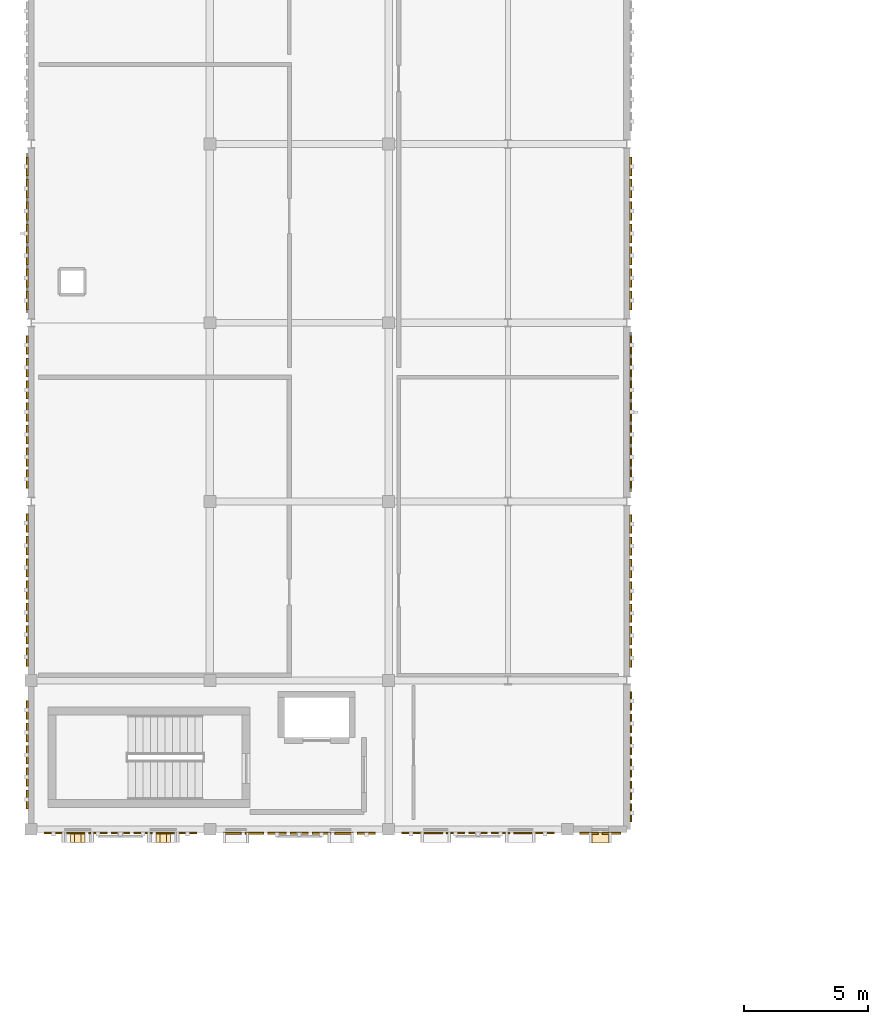
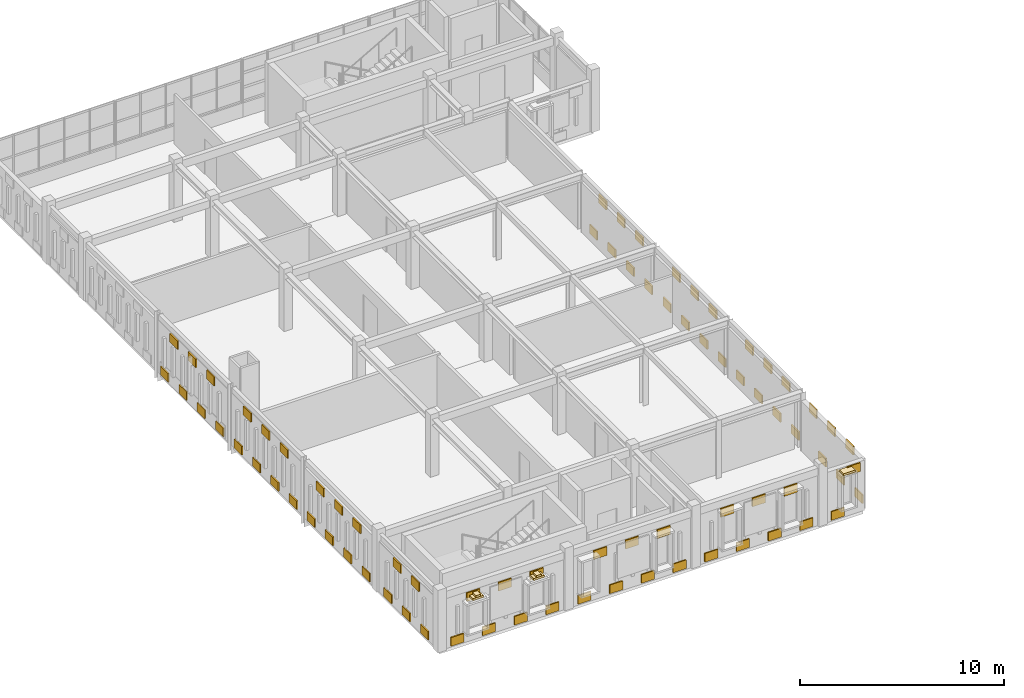
# One storey, part 49 of 53: 81 coverings.
"""IFC4 building model written with IfcOpenShell, lengths in metres."""

from ifc_helpers import new_model, si_unit, direction, frame, origin, origin_2d, place, context, subcontext, project, spatial, rectangle, extrude, material, layer, layer_set, type_object, element, save


model = new_model("IFC4")

# Units and contexts
model_context = context("Model", 3, precision=1e-05, world=origin(), true_north=direction((0.0, 1.0)))
body_context = subcontext(model_context, "Body", "Model", "MODEL_VIEW")
ifc_project = project(units=[si_unit("LENGTHUNIT", "METRE"), si_unit("AREAUNIT", "SQUARE_METRE"), si_unit("VOLUMEUNIT", "CUBIC_METRE"), si_unit("PLANEANGLEUNIT", "RADIAN"), si_unit("MASSUNIT", "GRAM", prefix="KILO")], contexts=[model_context])

# Site, building, storey
site_placement = place(None, origin())
site = spatial("IfcSite", under=ifc_project, at=site_placement, CompositionType="ELEMENT")
building_placement = place(site_placement, origin())
building = spatial("IfcBuilding", under=site, at=building_placement, Name="Nzembalo Square Collegiate School", CompositionType="ELEMENT")
storey_placement = place(building_placement, frame((0.0, 0.0, 13.60009765625)))
storey = spatial("IfcBuildingStorey", under=building, at=storey_placement, Name="L03", CompositionType="ELEMENT", Elevation=13.60009765625)

# Coverings
ifc_material_1 = material(Name="Glazed cobalt ceramic patterned tile")
ifc_layer_1 = layer(ifc_material_1, 0.074951171875, Name="Glazed cobalt ceramic patterned tile")
ifc_layer_set_1 = layer_set([ifc_layer_1], Name="Glazed cobalt ceramic patterned tile")
covering_type_1 = type_object("IfcCoveringType", Name="CL01", PredefinedType="CLADDING", material=ifc_layer_set_1)
for number, where, z_axis, x_axis, name in (
    (1, (9.300048828125, 44.25, 0.099853515625), (0.0, 0.0, 1.0), (1.0, 0.0, 0.0), "Patterned ceramic tile CL01-X0221-0-0"),
    (2, (10.199951171875, 44.25, 2.458984375), (0.0, 0.0, 1.0), (1.0, 0.0, 0.0), "Patterned ceramic tile CL01-X0221-1-1"),
    (3, (11.10009765625, 44.25, 0.099853515625), (0.0, 0.0, 1.0), (1.0, 0.0, 0.0), "Patterned ceramic tile CL01-X0221-2-0"),
    (4, (12.0, 44.25, 2.458984375), (0.0, 0.0, 1.0), (1.0, 0.0, 0.0), "Patterned ceramic tile CL01-X0221-3-1"),
    (5, (12.89990234375, 44.25, 0.099853515625), (0.0, 0.0, 1.0), (1.0, 0.0, 0.0), "Patterned ceramic tile CL01-X0221-4-0"),
    (6, (13.800048828125, 44.25, 2.458984375), (0.0, 0.0, 1.0), (1.0, 0.0, 0.0), "Patterned ceramic tile CL01-X0221-5-1"),
    (7, (14.699951171875, 44.25, 0.099853515625), (0.0, 0.0, 1.0), (1.0, 0.0, 0.0), "Patterned ceramic tile CL01-X0221-6-0"),
    (8, (16.5, 44.239990234375, 0.099853515625), (0.0, 0.0, 1.0), (1.0, 0.0, 0.0), "Patterned ceramic tile CL01-X0222-0-0"),
    (9, (17.39990234375, 44.239990234375, 2.468994140625), (0.0, 0.0, 1.0), (1.0, 0.0, 0.0), "Patterned ceramic tile CL01-X0222-1-1"),
    (10, (18.300048828125, 44.239990234375, 0.099853515625), (0.0, 0.0, 1.0), (1.0, 0.0, 0.0), "Patterned ceramic tile CL01-X0222-2-0"),
    (11, (19.199951171875, 44.239990234375, 2.468994140625), (0.0, 0.0, 1.0), (1.0, 0.0, 0.0), "Patterned ceramic tile CL01-X0222-3-1"),
    (12, (20.10009765625, 44.239990234375, 0.099853515625), (0.0, 0.0, 1.0), (1.0, 0.0, 0.0), "Patterned ceramic tile CL01-X0222-4-0"),
    (13, (21.0, 44.239990234375, 2.468994140625), (0.0, 0.0, 1.0), (1.0, 0.0, 0.0), "Patterned ceramic tile CL01-X0222-5-1"),
    (14, (21.89990234375, 44.239990234375, 0.099853515625), (0.0, 0.0, 1.0), (1.0, 0.0, 0.0), "Patterned ceramic tile CL01-X0222-6-0"),
    (15, (23.699951171875, 44.25, 0.099853515625), (0.0, 0.0, 1.0), (1.0, 0.0, 0.0), "Patterned ceramic tile CL01-X0223-0-0"),
    (16, (24.60009765625, 44.25, 2.468994140625), (0.0, 0.0, 1.0), (1.0, 0.0, 0.0), "Patterned ceramic tile CL01-X0223-1-1"),
    (17, (25.5, 44.25, 0.099853515625), (0.0, 0.0, 1.0), (1.0, 0.0, 0.0), "Patterned ceramic tile CL01-X0223-2-0"),
    (18, (26.39990234375, 44.25, 2.468994140625), (0.0, 0.0, 1.0), (1.0, 0.0, 0.0), "Patterned ceramic tile CL01-X0223-3-1"),
    (19, (27.300048828125, 44.25, 0.099853515625), (0.0, 0.0, 1.0), (1.0, 0.0, 0.0), "Patterned ceramic tile CL01-X0223-4-0"),
    (20, (28.199951171875, 44.25, 2.468994140625), (0.0, 0.0, 1.0), (1.0, 0.0, 0.0), "Patterned ceramic tile CL01-X0223-5-1"),
    (21, (29.10009765625, 44.25, 0.099853515625), (0.0, 0.0, 1.0), (1.0, 0.0, 0.0), "Patterned ceramic tile CL01-X0223-6-0"),
    (22, (30.87109375, 44.239990234375, 0.099853515625), (0.0, 0.0, 1.0), (1.0, 0.0, 0.0), "Patterned ceramic tile CL01-X0224-0-0"),
    (23, (31.77099609375, 44.239990234375, 2.468994140625), (0.0, 0.0, 1.0), (1.0, 0.0, 0.0), "Patterned ceramic tile CL01-X0224-1-1"),
):
    element("IfcCovering", number, at=place(storey_placement, frame(where, z_axis=z_axis, x_axis=x_axis)), inside=storey, type_object=covering_type_1, Name=name, PredefinedType="CLADDING", context=body_context, shape_type="SweptSolid", body=[
        extrude(rectangle(XDim=0.739990234375, YDim=0.074951171875, at=origin_2d()), origin(), (0.0, 0.0, 1.0), 0.52001953125),
    ])
for number, where, z_axis, x_axis, name in (
    (24, (8.25, 45.60009765625, 0.099853515625), (0.0, 0.0, 1.0), (1.0, 0.0, 0.0), "Patterned ceramic tile CL01-Y0225-0-0"),
    (25, (8.25, 46.5, 2.458984375), (0.0, 0.0, 1.0), (1.0, 0.0, 0.0), "Patterned ceramic tile CL01-Y0225-1-1"),
    (26, (8.25, 47.39990234375, 0.099853515625), (0.0, 0.0, 1.0), (1.0, 0.0, 0.0), "Patterned ceramic tile CL01-Y0225-2-0"),
    (27, (8.25, 48.300048828125, 2.458984375), (0.0, 0.0, 1.0), (1.0, 0.0, 0.0), "Patterned ceramic tile CL01-Y0225-3-1"),
    (28, (8.25, 49.199951171875, 0.099853515625), (0.0, 0.0, 1.0), (1.0, 0.0, 0.0), "Patterned ceramic tile CL01-Y0225-4-0"),
    (29, (8.239990234375, 51.3349609375, 0.099853515625), (0.0, 0.0, 1.0), (1.0, 0.0, 0.0), "Patterned ceramic tile CL01-Y0226-0-0"),
    (30, (8.239990234375, 52.235107421875, 2.458984375), (0.0, 0.0, 1.0), (1.0, 0.0, 0.0), "Patterned ceramic tile CL01-Y0226-1-1"),
    (31, (8.239990234375, 53.135009765625, 0.099853515625), (0.0, 0.0, 1.0), (1.0, 0.0, 0.0), "Patterned ceramic tile CL01-Y0226-2-0"),
    (32, (8.239990234375, 54.034912109375, 2.458984375), (0.0, 0.0, 1.0), (1.0, 0.0, 0.0), "Patterned ceramic tile CL01-Y0226-3-1"),
    (33, (8.239990234375, 54.93505859375, 0.099853515625), (0.0, 0.0, 1.0), (1.0, 0.0, 0.0), "Patterned ceramic tile CL01-Y0226-4-0"),
    (34, (8.239990234375, 55.8349609375, 2.458984375), (0.0, 0.0, 1.0), (1.0, 0.0, 0.0), "Patterned ceramic tile CL01-Y0226-5-1"),
    (35, (8.239990234375, 56.735107421875, 0.099853515625), (0.0, 0.0, 1.0), (1.0, 0.0, 0.0), "Patterned ceramic tile CL01-Y0226-6-0"),
    (36, (8.25, 58.5, 0.099853515625), (0.0, 0.0, 1.0), (1.0, 0.0, 0.0), "Patterned ceramic tile CL01-Y0227-0-0"),
    (37, (8.25, 59.39990234375, 2.60888671875), (0.0, 0.0, 1.0), (1.0, 0.0, 0.0), "Patterned ceramic tile CL01-Y0227-1-1"),
    (38, (8.25, 60.300048828125, 0.099853515625), (0.0, 0.0, 1.0), (1.0, 0.0, 0.0), "Patterned ceramic tile CL01-Y0227-2-0"),
    (39, (8.25, 61.199951171875, 2.60888671875), (0.0, 0.0, 1.0), (1.0, 0.0, 0.0), "Patterned ceramic tile CL01-Y0227-3-1"),
    (40, (8.25, 62.10009765625, 0.099853515625), (0.0, 0.0, 1.0), (1.0, 0.0, 0.0), "Patterned ceramic tile CL01-Y0227-4-0"),
    (41, (8.25, 63.0, 2.60888671875), (0.0, 0.0, 1.0), (1.0, 0.0, 0.0), "Patterned ceramic tile CL01-Y0227-5-1"),
    (42, (8.25, 63.89990234375, 0.099853515625), (0.0, 0.0, 1.0), (1.0, 0.0, 0.0), "Patterned ceramic tile CL01-Y0227-6-0"),
    (43, (8.239990234375, 65.699951171875, 0.099853515625), (0.0, 0.0, 1.0), (1.0, 0.0, 0.0), "Patterned ceramic tile CL01-Y0228-0-0"),
    (44, (8.239990234375, 66.60009765625, 2.60888671875), (0.0, 0.0, 1.0), (1.0, 0.0, 0.0), "Patterned ceramic tile CL01-Y0228-1-1"),
    (45, (8.239990234375, 67.5, 0.099853515625), (0.0, 0.0, 1.0), (1.0, 0.0, 0.0), "Patterned ceramic tile CL01-Y0228-2-0"),
    (46, (8.239990234375, 68.39990234375, 2.60888671875), (0.0, 0.0, 1.0), (1.0, 0.0, 0.0), "Patterned ceramic tile CL01-Y0228-3-1"),
    (47, (8.239990234375, 69.300048828125, 0.099853515625), (0.0, 0.0, 1.0), (1.0, 0.0, 0.0), "Patterned ceramic tile CL01-Y0228-4-0"),
    (48, (8.239990234375, 70.199951171875, 2.60888671875), (0.0, 0.0, 1.0), (1.0, 0.0, 0.0), "Patterned ceramic tile CL01-Y0228-5-1"),
    (49, (8.239990234375, 71.10009765625, 0.099853515625), (0.0, 0.0, 1.0), (1.0, 0.0, 0.0), "Patterned ceramic tile CL01-Y0228-6-0"),
    (50, (32.56005859375, 45.06396484375, 0.099853515625), (0.0, 0.0, 1.0), (1.0, 0.0, 0.0), "Patterned ceramic tile CL01-Y0234-0-0"),
    (51, (32.56005859375, 45.964111328125, 2.458984375), (0.0, 0.0, 1.0), (1.0, 0.0, 0.0), "Patterned ceramic tile CL01-Y0234-1-1"),
    (52, (32.56005859375, 46.864013671875, 0.099853515625), (0.0, 0.0, 1.0), (1.0, 0.0, 0.0), "Patterned ceramic tile CL01-Y0234-2-0"),
    (53, (32.56005859375, 47.763916015625, 2.458984375), (0.0, 0.0, 1.0), (1.0, 0.0, 0.0), "Patterned ceramic tile CL01-Y0234-3-1"),
    (54, (32.56005859375, 48.6640625, 0.099853515625), (0.0, 0.0, 1.0), (1.0, 0.0, 0.0), "Patterned ceramic tile CL01-Y0234-4-0"),
    (55, (32.56005859375, 49.56396484375, 2.458984375), (0.0, 0.0, 1.0), (1.0, 0.0, 0.0), "Patterned ceramic tile CL01-Y0234-5-1"),
    (56, (32.550048828125, 51.300048828125, 0.099853515625), (0.0, 0.0, 1.0), (1.0, 0.0, 0.0), "Patterned ceramic tile CL01-Y0235-0-0"),
    (57, (32.550048828125, 52.199951171875, 2.458984375), (0.0, 0.0, 1.0), (1.0, 0.0, 0.0), "Patterned ceramic tile CL01-Y0235-1-1"),
    (58, (32.550048828125, 53.10009765625, 0.099853515625), (0.0, 0.0, 1.0), (1.0, 0.0, 0.0), "Patterned ceramic tile CL01-Y0235-2-0"),
    (59, (32.550048828125, 54.0, 2.458984375), (0.0, 0.0, 1.0), (1.0, 0.0, 0.0), "Patterned ceramic tile CL01-Y0235-3-1"),
    (60, (32.550048828125, 54.89990234375, 0.099853515625), (0.0, 0.0, 1.0), (1.0, 0.0, 0.0), "Patterned ceramic tile CL01-Y0235-4-0"),
    (61, (32.550048828125, 55.800048828125, 2.458984375), (0.0, 0.0, 1.0), (1.0, 0.0, 0.0), "Patterned ceramic tile CL01-Y0235-5-1"),
    (62, (32.550048828125, 56.699951171875, 0.099853515625), (0.0, 0.0, 1.0), (1.0, 0.0, 0.0), "Patterned ceramic tile CL01-Y0235-6-0"),
    (63, (32.56005859375, 58.5, 0.099853515625), (0.0, 0.0, 1.0), (1.0, 0.0, 0.0), "Patterned ceramic tile CL01-Y0236-0-0"),
    (64, (32.56005859375, 59.39990234375, 2.458984375), (0.0, 0.0, 1.0), (1.0, 0.0, 0.0), "Patterned ceramic tile CL01-Y0236-1-1"),
    (65, (32.56005859375, 60.300048828125, 0.099853515625), (0.0, 0.0, 1.0), (1.0, 0.0, 0.0), "Patterned ceramic tile CL01-Y0236-2-0"),
    (66, (32.56005859375, 61.199951171875, 2.458984375), (0.0, 0.0, 1.0), (1.0, 0.0, 0.0), "Patterned ceramic tile CL01-Y0236-3-1"),
    (67, (32.56005859375, 62.10009765625, 0.099853515625), (0.0, 0.0, 1.0), (1.0, 0.0, 0.0), "Patterned ceramic tile CL01-Y0236-4-0"),
    (68, (32.56005859375, 63.0, 2.458984375), (0.0, 0.0, 1.0), (1.0, 0.0, 0.0), "Patterned ceramic tile CL01-Y0236-5-1"),
    (69, (32.56005859375, 63.89990234375, 0.099853515625), (0.0, 0.0, 1.0), (1.0, 0.0, 0.0), "Patterned ceramic tile CL01-Y0236-6-0"),
    (70, (32.550048828125, 65.699951171875, 0.099853515625), (0.0, 0.0, 1.0), (1.0, 0.0, 0.0), "Patterned ceramic tile CL01-Y0237-0-0"),
    (71, (32.550048828125, 66.60009765625, 2.458984375), (0.0, 0.0, 1.0), (1.0, 0.0, 0.0), "Patterned ceramic tile CL01-Y0237-1-1"),
    (72, (32.550048828125, 67.5, 0.099853515625), (0.0, 0.0, 1.0), (1.0, 0.0, 0.0), "Patterned ceramic tile CL01-Y0237-2-0"),
    (73, (32.550048828125, 68.39990234375, 2.458984375), (0.0, 0.0, 1.0), (1.0, 0.0, 0.0), "Patterned ceramic tile CL01-Y0237-3-1"),
    (74, (32.550048828125, 69.300048828125, 0.099853515625), (0.0, 0.0, 1.0), (1.0, 0.0, 0.0), "Patterned ceramic tile CL01-Y0237-4-0"),
    (75, (32.550048828125, 70.199951171875, 2.458984375), (0.0, 0.0, 1.0), (1.0, 0.0, 0.0), "Patterned ceramic tile CL01-Y0237-5-1"),
    (76, (32.550048828125, 71.10009765625, 0.099853515625), (0.0, 0.0, 1.0), (1.0, 0.0, 0.0), "Patterned ceramic tile CL01-Y0237-6-0"),
):
    element("IfcCovering", number, at=place(storey_placement, frame(where, z_axis=z_axis, x_axis=x_axis)), inside=storey, type_object=covering_type_1, Name=name, PredefinedType="CLADDING", context=body_context, shape_type="SweptSolid", body=[
        extrude(rectangle(XDim=0.074951171875, YDim=0.739990234375, at=origin_2d()), origin(), (0.0, 0.0, 1.0), 0.52001953125),
    ])
ifc_material_2 = material(Name="Glazed celadon ceramic window frame")
ifc_layer_2 = layer(ifc_material_2, 0.419921875, Name="Glazed celadon ceramic window frame")
ifc_layer_set_2 = layer_set([ifc_layer_2], Name="Glazed celadon ceramic window frame")
covering_type_2 = type_object("IfcCoveringType", Name="WF01", PredefinedType="CLADDING", material=ifc_layer_set_2)
covering_1_placement = place(storey_placement, frame((10.278564453125, 44.072509765625, 2.679931640625), z_axis=(0.0, 0.0, 1.0), x_axis=(1.0, 0.0, 0.0)))
element("IfcCovering", 77, at=covering_1_placement, inside=storey, type_object=covering_type_2, Name="Pointed lancet gable WF01-0679-2", PredefinedType="CLADDING", context=body_context, shape_type="SweptSolid", body=[
    extrude(rectangle(XDim=0.60009765625, YDim=0.419921875, at=origin_2d()), origin(), (0.0, 0.0, 1.0), 0.1201171875),
])
covering_2_placement = place(storey_placement, frame((10.278564453125, 44.072509765625, 2.7998046875), z_axis=(0.0, 0.0, 1.0), x_axis=(1.0, 0.0, 0.0)))
element("IfcCovering", 78, at=covering_2_placement, inside=storey, type_object=covering_type_2, Name="Pointed lancet gable WF01-0679-3", PredefinedType="CLADDING", context=body_context, shape_type="SweptSolid", body=[
    extrude(rectangle(XDim=0.27490234375, YDim=0.419921875, at=origin_2d()), origin(), (0.0, 0.0, 1.0), 0.1201171875),
])
covering_3_placement = place(storey_placement, frame((13.721435546875, 44.072509765625, 2.679931640625), z_axis=(0.0, 0.0, 1.0), x_axis=(1.0, 0.0, 0.0)))
element("IfcCovering", 79, at=covering_3_placement, inside=storey, type_object=covering_type_2, Name="Pointed lancet gable WF01-0680-2", PredefinedType="CLADDING", context=body_context, shape_type="SweptSolid", body=[
    extrude(rectangle(XDim=0.60009765625, YDim=0.419921875, at=origin_2d()), origin(), (0.0, 0.0, 1.0), 0.1201171875),
])
covering_4_placement = place(storey_placement, frame((13.721435546875, 44.072509765625, 2.7998046875), z_axis=(0.0, 0.0, 1.0), x_axis=(1.0, 0.0, 0.0)))
element("IfcCovering", 80, at=covering_4_placement, inside=storey, type_object=covering_type_2, Name="Pointed lancet gable WF01-0680-3", PredefinedType="CLADDING", context=body_context, shape_type="SweptSolid", body=[
    extrude(rectangle(XDim=0.27490234375, YDim=0.419921875, at=origin_2d()), origin(), (0.0, 0.0, 1.0), 0.1201171875),
])
covering_5_placement = place(storey_placement, frame((31.321044921875, 44.0625, 2.81982421875), z_axis=(0.0, 0.0, 1.0), x_axis=(1.0, 0.0, 0.0)))
element("IfcCovering", 81, at=covering_5_placement, inside=storey, type_object=covering_type_2, Name="Pointed lancet gable WF01-0725-1", PredefinedType="CLADDING", context=body_context, shape_type="SweptSolid", body=[
    extrude(rectangle(XDim=0.6689453125, YDim=0.419921875, at=origin_2d()), origin(), (0.0, 0.0, 1.0), 0.1201171875),
])

save(model, "model.ifc")
